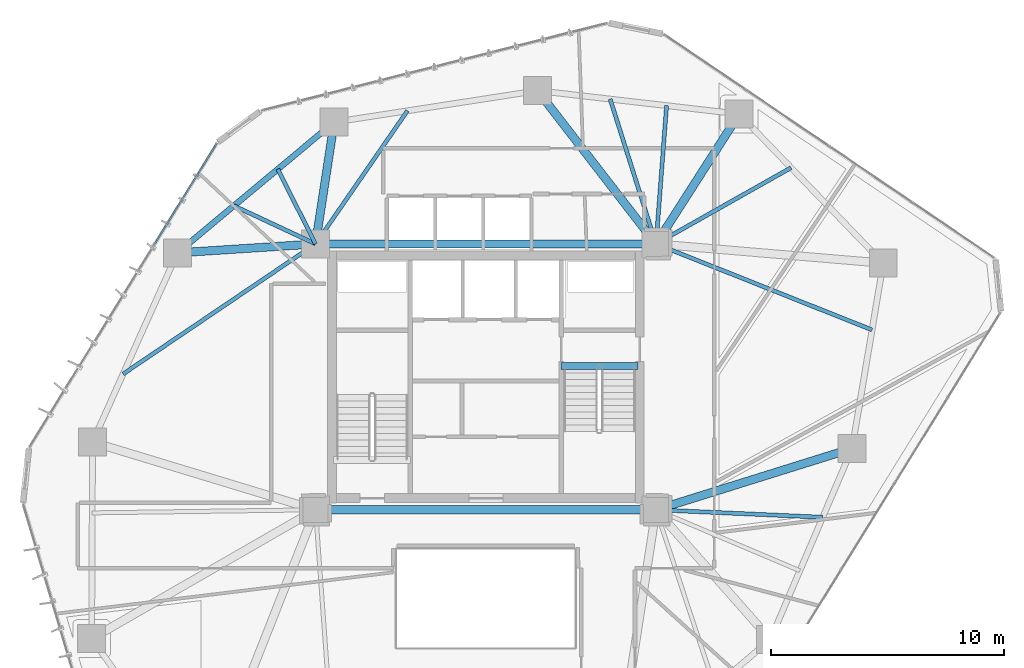
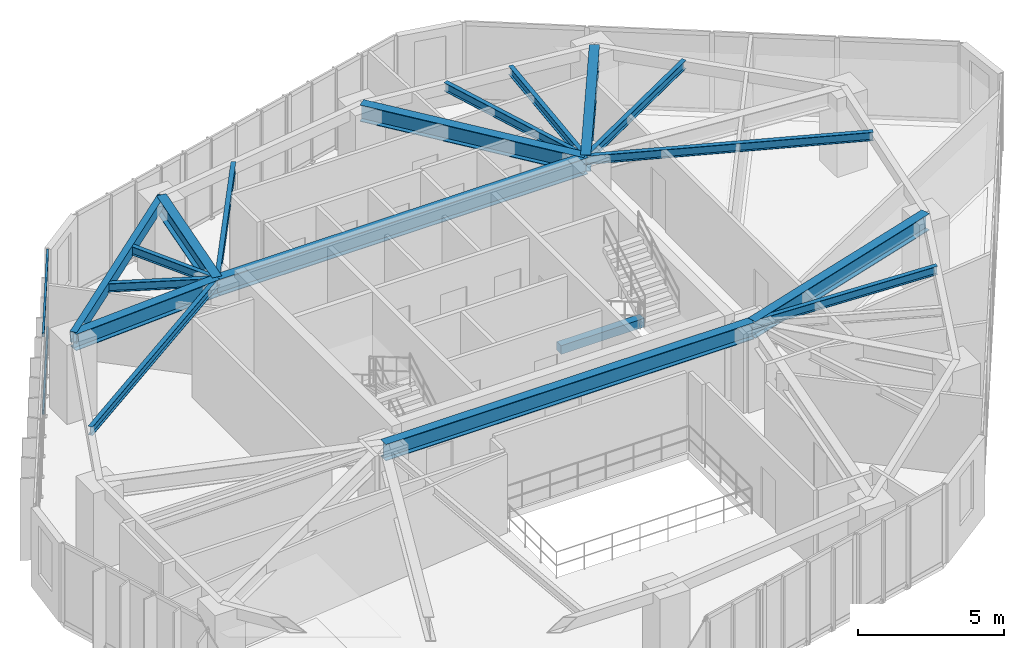
# One storey, part 9 of 20: 18 beams, 2 members, 1 element without a shape of its own.
"""IFC4 building model written with IfcOpenShell, lengths in metres."""

from ifc_helpers import new_model, si_unit, direction, frame, origin, origin_2d, place, context, subcontext, project, spatial, rectangle, hollow_rectangle, i_section, extrude, source, transform, mapped, material, layer, layer_set, material_profile, profile_set, type_object, type_shapes, element, aggregate, save


model = new_model("IFC4")

# Units and contexts
model_context = context("Model", 3, precision=1e-05, world=origin(), true_north=direction((0.0, 1.0)))
body_context = subcontext(model_context, "Body", "Model", "MODEL_VIEW")
ifc_project = project(units=[si_unit("LENGTHUNIT", "METRE"), si_unit("AREAUNIT", "SQUARE_METRE"), si_unit("VOLUMEUNIT", "CUBIC_METRE"), si_unit("PLANEANGLEUNIT", "RADIAN"), si_unit("MASSUNIT", "GRAM", prefix="KILO")], contexts=[model_context])

# Site, building, storey
site_placement = place(None, origin())
site = spatial("IfcSite", under=ifc_project, at=site_placement, CompositionType="ELEMENT")
building_placement = place(site_placement, origin())
building = spatial("IfcBuilding", under=site, at=building_placement, Name="Talar Marvaseh", CompositionType="ELEMENT")
storey_placement = place(building_placement, frame((0.0, 0.0, 132.60009765625)))
storey = spatial("IfcBuildingStorey", under=building, at=storey_placement, Name="L34", CompositionType="ELEMENT", Elevation=132.60009765625)

# Beams
ifc_material_1 = material(Name="Concrete C40/50", Category="concrete")
ifc_material_profile_1 = material_profile(ifc_material_1, rectangle(XDim=0.300048828125, YDim=0.360107421875, at=origin_2d()), Name="RC300x360")
ifc_profile_set_1 = profile_set([ifc_material_profile_1], Name="Concrete C40/50")
beam_type_1 = type_object("IfcBeamType", Name="Concrete Stair Landing Trimmer Beam RC300x360", PredefinedType="SPANDREL", material=ifc_profile_set_1)
beam_1_placement = place(storey_placement, frame((29.219970703125, 31.669921875, -0.18017578125), z_axis=(1.0, 0.0, 0.0), x_axis=(0.0, 1.0, 0.0)))
element("IfcBeam", 1, at=beam_1_placement, inside=storey, type_object=beam_type_1, Name="L34 ST-2 Stair Nosing Trimmer Beam", PredefinedType="SPANDREL", context=body_context, shape_type="SweptSolid", body=[
    extrude(rectangle(XDim=0.300048828125, YDim=0.360107421875, at=origin_2d()), origin(), (0.0, 0.0, 1.0), 3.300048828125),
])
ifc_material_2 = material(Name="Steel S355", Category="steel")
ifc_material_profile_2 = material_profile(ifc_material_2, hollow_rectangle(XDim=0.25, YDim=0.449951171875, WallThickness=0.01611328125, at=origin_2d()), Name="RHS450x250x16")
ifc_profile_set_2 = profile_set([ifc_material_profile_2], Name="Steel S355")
beam_type_2 = type_object("IfcBeamType", Name="Zone 2 Perimeter Spandrel Beam RHS450x250x16", PredefinedType="SPANDREL", material=ifc_profile_set_2)
beam_2_placement = place(storey_placement, frame((12.780029296875, 36.51708984375, 3.0849609375), z_axis=(0.76793081465, 0.640532796905, 0.0), x_axis=(-0.640532796905, 0.76793081465, 0.0)))
element("IfcBeam", 2, at=beam_2_placement, inside=storey, type_object=beam_type_2, Name="L34 Zone 2 Perimeter Spandrel Beam RHS450x250x16", PredefinedType="SPANDREL", context=body_context, shape_type="SweptSolid", body=[
    extrude(hollow_rectangle(XDim=0.25, YDim=0.449951171875, WallThickness=0.01611328125, at=origin_2d()), origin(), (0.0, 0.0, 1.0), 8.751953125),
])
ifc_material_profile_3 = material_profile(ifc_material_2, i_section(OverallWidth=0.35498046875, OverallDepth=0.695068359375, WebThickness=0.015380859375, FlangeThickness=0.02490234375, at=origin_2d()), Name="W690x217")
ifc_profile_set_3 = profile_set([ifc_material_profile_3], Name="Steel S355")
beam_type_3 = type_object("IfcBeamType", Name="Zone 2 Radial Floor Girder W690x217", PredefinedType="BEAM", material=ifc_profile_set_3)
for number, where, z_axis, x_axis, name in (
    (3, (18.699951171875, 25.5, 2.96240234375), (1.0, 0.0, 0.0), (0.0, 1.0, 0.0), "L34 Zone 2 Radial Floor Girder W690x217"),
    (4, (18.699951171875, 36.89990234375, 2.96240234375), (1.0, 0.0, 0.0), (0.0, 1.0, 0.0), "L34 Zone 2 Radial Floor Girder W690x217"),
):
    element("IfcBeam", number, at=place(storey_placement, frame(where, z_axis=z_axis, x_axis=x_axis)), inside=storey, type_object=beam_type_3, Name=name, PredefinedType="BEAM", context=body_context, shape_type="SweptSolid", body=[
        extrude(i_section(OverallWidth=0.35498046875, OverallDepth=0.695068359375, WebThickness=0.015380859375, FlangeThickness=0.02490234375, at=origin_2d()), origin(), (0.0, 0.0, 1.0), 14.60009765625),
    ])
beam_3_placement = place(storey_placement, frame((36.865966796875, 42.470947265625, 2.96240234375), z_axis=(-0.539101874952, -0.842240564461, 0.0), x_axis=(0.842240564461, -0.539101874952, 0.0)))
element("IfcBeam", 5, at=beam_3_placement, inside=storey, type_object=beam_type_3, Name="L34 Zone 2 Radial Floor Girder W690x217", PredefinedType="BEAM", context=body_context, shape_type="SweptSolid", body=[
    extrude(i_section(OverallWidth=0.35498046875, OverallDepth=0.695068359375, WebThickness=0.015380859375, FlangeThickness=0.02490234375, at=origin_2d()), origin(), (0.0, 0.0, 1.0), 6.614501953125),
])
beam_4_placement = place(storey_placement, frame((41.708984375, 28.1279296875, 2.96240234375), z_axis=(-0.954475540106, -0.298289194138, 0.0), x_axis=(0.298289194138, -0.954475540106, 0.0)))
element("IfcBeam", 6, at=beam_4_placement, inside=storey, type_object=beam_type_3, Name="L34 Zone 2 Radial Floor Girder W690x217", PredefinedType="BEAM", context=body_context, shape_type="SweptSolid", body=[
    extrude(i_section(OverallWidth=0.35498046875, OverallDepth=0.695068359375, WebThickness=0.015380859375, FlangeThickness=0.02490234375, at=origin_2d()), origin(), (0.0, 0.0, 1.0), 8.81005859375),
])
beam_5_placement = place(storey_placement, frame((12.780029296875, 36.51708984375, 2.96240234375), z_axis=(0.997915745008, 0.064530348407, 0.0), x_axis=(-0.064530348407, 0.997915745008, 0.0)))
element("IfcBeam", 7, at=beam_5_placement, inside=storey, type_object=beam_type_3, Name="L34 Zone 2 Radial Floor Girder W690x217", PredefinedType="BEAM", context=body_context, shape_type="SweptSolid", body=[
    extrude(i_section(OverallWidth=0.35498046875, OverallDepth=0.695068359375, WebThickness=0.015380859375, FlangeThickness=0.02490234375, at=origin_2d()), origin(), (0.0, 0.0, 1.0), 5.932373046875),
])
beam_6_placement = place(storey_placement, frame((19.5009765625, 42.123046875, 2.96240234375), z_axis=(-0.151588471466, -0.98844369355, 0.0), x_axis=(0.98844369355, -0.151588471466, 0.0)))
element("IfcBeam", 8, at=beam_6_placement, inside=storey, type_object=beam_type_3, Name="L34 Zone 2 Radial Floor Girder W690x217", PredefinedType="BEAM", context=body_context, shape_type="SweptSolid", body=[
    extrude(i_section(OverallWidth=0.35498046875, OverallDepth=0.695068359375, WebThickness=0.015380859375, FlangeThickness=0.02490234375, at=origin_2d()), origin(), (0.0, 0.0, 1.0), 5.2841796875),
])
beam_7_placement = place(storey_placement, frame((28.221923828125, 43.471923828125, 2.96240234375), z_axis=(0.611428258763, -0.791299870079, 0.0), x_axis=(0.791299870079, 0.611428258763, 0.0)))
element("IfcBeam", 9, at=beam_7_placement, inside=storey, type_object=beam_type_3, Name="L34 Zone 2 Radial Floor Girder W690x217", PredefinedType="BEAM", context=body_context, shape_type="SweptSolid", body=[
    extrude(i_section(OverallWidth=0.35498046875, OverallDepth=0.695068359375, WebThickness=0.015380859375, FlangeThickness=0.02490234375, at=origin_2d()), origin(), (0.0, 0.0, 1.0), 8.305419921875),
])
ifc_material_profile_4 = material_profile(ifc_material_2, i_section(OverallWidth=0.172119140625, OverallDepth=0.35791015625, WebThickness=0.0078125, FlangeThickness=0.01318359375, at=origin_2d()), Name="W360x57")
ifc_profile_set_4 = profile_set([ifc_material_profile_4], Name="Steel S355")
beam_type_4 = type_object("IfcBeamType", Name="Zone 2 Secondary Floor Joist W360x57", PredefinedType="JOIST", material=ifc_profile_set_4)
beam_8_placement = place(storey_placement, frame((39.090087890625, 40.168701171875, 3.130859375), z_axis=(-0.870809604029, -0.491620416105, 0.0), x_axis=(0.491620416105, -0.870809604029, 0.0)))
element("IfcBeam", 10, at=beam_8_placement, inside=storey, type_object=beam_type_4, Name="L34 Zone 2 Secondary Floor Joist W360x57", PredefinedType="JOIST", context=body_context, shape_type="SweptSolid", body=[
    extrude(i_section(OverallWidth=0.172119140625, OverallDepth=0.35791015625, WebThickness=0.0078125, FlangeThickness=0.01318359375, at=origin_2d()), origin(), (0.0, 0.0, 1.0), 6.64892578125),
])
beam_9_placement = place(storey_placement, frame((42.5634765625, 33.214599609375, 3.130859375), z_axis=(-0.929169193082, 0.369654718119, 0.0), x_axis=(-0.369654718119, -0.929169193082, 0.0)))
element("IfcBeam", 11, at=beam_9_placement, inside=storey, type_object=beam_type_4, Name="L34 Zone 2 Secondary Floor Joist W360x57", PredefinedType="JOIST", context=body_context, shape_type="SweptSolid", body=[
    extrude(i_section(OverallWidth=0.172119140625, OverallDepth=0.35791015625, WebThickness=0.0078125, FlangeThickness=0.01318359375, at=origin_2d()), origin(), (0.0, 0.0, 1.0), 9.969482421875),
])
beam_10_placement = place(storey_placement, frame((40.447998046875, 25.1806640625, 3.130859375), z_axis=(-0.999003555358, 0.044630666385, 0.0), x_axis=(-0.044630666385, -0.999003555358, 0.0)))
element("IfcBeam", 12, at=beam_10_placement, inside=storey, type_object=beam_type_4, Name="L34 Zone 2 Secondary Floor Joist W360x57", PredefinedType="JOIST", context=body_context, shape_type="SweptSolid", body=[
    extrude(i_section(OverallWidth=0.172119140625, OverallDepth=0.35791015625, WebThickness=0.0078125, FlangeThickness=0.01318359375, at=origin_2d()), origin(), (0.0, 0.0, 1.0), 7.155029296875),
])
beam_11_placement = place(storey_placement, frame((10.44921875, 31.323486328125, 3.130859375), z_axis=(0.828514577653, 0.55996749425, 0.0), x_axis=(-0.55996749425, 0.828514577653, 0.0)))
element("IfcBeam", 13, at=beam_11_placement, inside=storey, type_object=beam_type_4, Name="L34 Zone 2 Secondary Floor Joist W360x57", PredefinedType="JOIST", context=body_context, shape_type="SweptSolid", body=[
    extrude(i_section(OverallWidth=0.172119140625, OverallDepth=0.35791015625, WebThickness=0.0078125, FlangeThickness=0.01318359375, at=origin_2d()), origin(), (0.0, 0.0, 1.0), 9.95849609375),
])
beam_12_placement = place(storey_placement, frame((15.19970703125, 38.53515625, 3.130859375), z_axis=(0.906003856895, -0.423269431086, 0.0), x_axis=(0.423269431086, 0.906003856895, 0.0)))
element("IfcBeam", 14, at=beam_12_placement, inside=storey, type_object=beam_type_4, Name="L34 Zone 2 Secondary Floor Joist W360x57", PredefinedType="JOIST", context=body_context, shape_type="SweptSolid", body=[
    extrude(i_section(OverallWidth=0.172119140625, OverallDepth=0.35791015625, WebThickness=0.0078125, FlangeThickness=0.01318359375, at=origin_2d()), origin(), (0.0, 0.0, 1.0), 3.86328125),
])
beam_13_placement = place(storey_placement, frame((17.081298828125, 40.104736328125, 3.130859375), z_axis=(0.450827436945, -0.892611125909, 0.0), x_axis=(0.892611125909, 0.450827436945, 0.0)))
element("IfcBeam", 15, at=beam_13_placement, inside=storey, type_object=beam_type_4, Name="L34 Zone 2 Secondary Floor Joist W360x57", PredefinedType="JOIST", context=body_context, shape_type="SweptSolid", body=[
    extrude(i_section(OverallWidth=0.172119140625, OverallDepth=0.35791015625, WebThickness=0.0078125, FlangeThickness=0.01318359375, at=origin_2d()), origin(), (0.0, 0.0, 1.0), 3.59033203125),
])
beam_14_placement = place(storey_placement, frame((22.640625, 42.608642578125, 3.130859375), z_axis=(-0.568085734836, -0.822969378456, 0.0), x_axis=(0.822969378456, -0.568085734836, 0.0)))
element("IfcBeam", 16, at=beam_14_placement, inside=storey, type_object=beam_type_4, Name="L34 Zone 2 Secondary Floor Joist W360x57", PredefinedType="JOIST", context=body_context, shape_type="SweptSolid", body=[
    extrude(i_section(OverallWidth=0.172119140625, OverallDepth=0.35791015625, WebThickness=0.0078125, FlangeThickness=0.01318359375, at=origin_2d()), origin(), (0.0, 0.0, 1.0), 6.936767578125),
])
beam_15_placement = place(storey_placement, frame((31.333740234375, 43.111572265625, 3.130859375), z_axis=(0.301791238044, -0.953374033966, 0.0), x_axis=(0.953374033966, 0.301791238044, 0.0)))
element("IfcBeam", 17, at=beam_15_placement, inside=storey, type_object=beam_type_4, Name="L34 Zone 2 Secondary Floor Joist W360x57", PredefinedType="JOIST", context=body_context, shape_type="SweptSolid", body=[
    extrude(i_section(OverallWidth=0.172119140625, OverallDepth=0.35791015625, WebThickness=0.0078125, FlangeThickness=0.01318359375, at=origin_2d()), origin(), (0.0, 0.0, 1.0), 6.515380859375),
])
beam_16_placement = place(storey_placement, frame((33.754150390625, 42.831298828125, 3.130859375), z_axis=(-0.076335577703, -0.99708218296, 0.0), x_axis=(0.99708218296, -0.076335577703, 0.0)))
element("IfcBeam", 18, at=beam_16_placement, inside=storey, type_object=beam_type_4, Name="L34 Zone 2 Secondary Floor Joist W360x57", PredefinedType="JOIST", context=body_context, shape_type="SweptSolid", body=[
    extrude(i_section(OverallWidth=0.172119140625, OverallDepth=0.35791015625, WebThickness=0.0078125, FlangeThickness=0.01318359375, at=origin_2d()), origin(), (0.0, 0.0, 1.0), 5.94873046875),
])

# Curtain wall, members
ifc_material_3 = material(Name="Architectural Aluminium", Category="aluminium")
ifc_layer = layer(ifc_material_3, 0.199951171875)
ifc_layer_set = layer_set([ifc_layer], Name="Architectural Aluminium")
curtain_wall_type = type_object("IfcCurtainWallType", Name="Unitised Acoustic Library Curtain Wall Z2", PredefinedType="NOTDEFINED", material=ifc_layer_set)
curtain_wall_placement = place(storey_placement, origin())
curtain_wall = element("IfcCurtainWall", 19, at=curtain_wall_placement, inside=storey, type_object=curtain_wall_type, Name="L34 Unitised Acoustic Library Curtain Wall Z2", PredefinedType="NOTDEFINED")
ifc_material_profile_5 = material_profile(ifc_material_3, hollow_rectangle(XDim=0.074951171875, YDim=0.179931640625, WallThickness=0.0048828125, at=origin_2d()), Name="RHS180x75x5")
ifc_profile_set_5 = profile_set([ifc_material_profile_5], Name="Architectural Aluminium")
member_type = type_object("IfcMemberType", Name="Unitised Curtain Wall Transom RHS180x75x5", PredefinedType="USERDEFINED", material=ifc_profile_set_5)
shared_shape = source(origin(), body_context, "Body", "SweptSolid", [
    extrude(hollow_rectangle(XDim=0.074951171875, YDim=0.179931640625, WallThickness=0.0048828125, at=origin_2d()), origin(), (0.0, 0.0, 1.0), 5.017578125),
])
type_shapes(member_type, [shared_shape])
member_1_placement = place(storey_placement, frame((11.82177734375, 36.9189453125, 0.037353515625), z_axis=(0.525210046577, 0.850972624104, 0.0), x_axis=(-0.850972624104, 0.525210046577, 0.0)))
member_1 = element("IfcMember", 20, at=member_1_placement, type_object=member_type, Name="CW-Z2 transom 3.1", ObjectType="TRANSOM", PredefinedType="USERDEFINED", context=body_context, shape_type="MappedRepresentation", body=[
    mapped(shared_shape, transform((0.0, 0.0, 0.0), x_axis=(1.0, 0.0, 0.0), y_axis=(0.0, 1.0, 0.0), z_axis=(0.0, 0.0, 1.0), scale=1.0)),
])
member_2_placement = place(storey_placement, frame((11.82177734375, 36.9189453125, 3.2724609375), z_axis=(0.525210046577, 0.850972624104, 0.0), x_axis=(-0.850972624104, 0.525210046577, 0.0)))
member_2 = element("IfcMember", 21, at=member_2_placement, type_object=member_type, Name="CW-Z2 transom 3.2", ObjectType="TRANSOM", PredefinedType="USERDEFINED", context=body_context, shape_type="MappedRepresentation", body=[
    mapped(shared_shape, transform((0.0, 0.0, 0.0), x_axis=(1.0, 0.0, 0.0), y_axis=(0.0, 1.0, 0.0), z_axis=(0.0, 0.0, 1.0), scale=1.0)),
])
aggregate(curtain_wall, [member_1, member_2])

save(model, "model.ifc")
